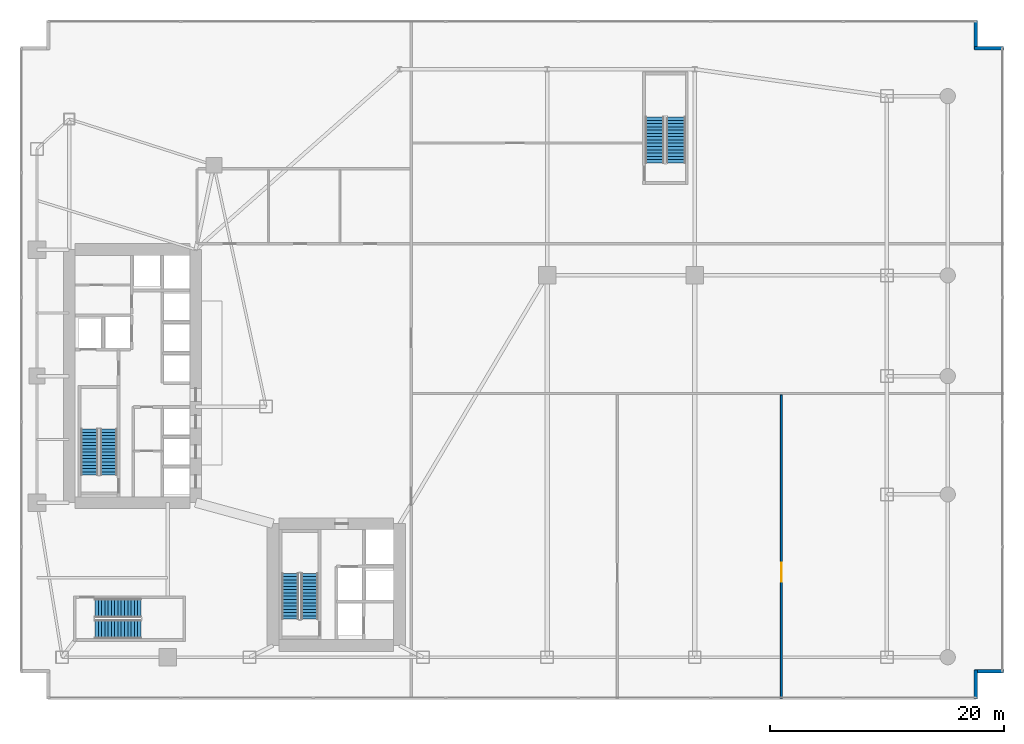
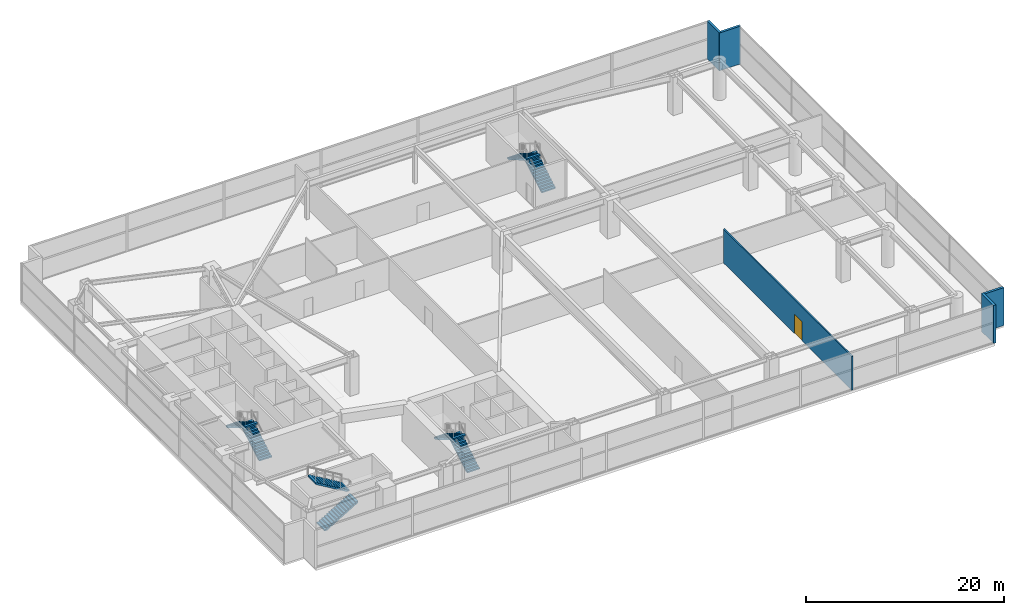
# One storey, part 33 of 35: 8 stair flights, 5 walls, 1 door, 1 opening, 4 elements without a shape of their own.
"""IFC4 building model written with IfcOpenShell, lengths in metres."""

from ifc_helpers import new_model, si_unit, direction, frame, frame_2d, origin, place, context, subcontext, project, spatial, polyline, rectangle, outline, extrude, material, layer, layer_set, type_object, element, fill, aggregate, save


model = new_model("IFC4")

# Units and contexts
model_context = context("Model", 3, precision=1e-05, world=origin(), true_north=direction((0.0, 1.0)))
body_context = subcontext(model_context, "Body", "Model", "MODEL_VIEW")
ifc_project = project(units=[si_unit("LENGTHUNIT", "METRE"), si_unit("AREAUNIT", "SQUARE_METRE"), si_unit("VOLUMEUNIT", "CUBIC_METRE"), si_unit("PLANEANGLEUNIT", "RADIAN"), si_unit("MASSUNIT", "GRAM", prefix="KILO")], contexts=[model_context])

# Site, building, storey
site_placement = place(None, origin())
site = spatial("IfcSite", under=ifc_project, at=site_placement, CompositionType="ELEMENT")
building_placement = place(site_placement, origin())
building = spatial("IfcBuilding", under=site, at=building_placement, Name="Calvorn Quay Hotel", CompositionType="ELEMENT")
storey_placement = place(building_placement, frame((0.0, 0.0, 12.0)))
storey = spatial("IfcBuildingStorey", under=building, at=storey_placement, Name="L02", CompositionType="ELEMENT", Elevation=12.0)

# Walls
ifc_material_1 = material(Name="Concrete C40", Category="concrete")
ifc_layer_1 = layer(ifc_material_1, 0.320068359375)
ifc_layer_set_1 = layer_set([ifc_layer_1], Name="WL-EXT-SPANDREL-320")
wall_type_1 = type_object("IfcWallType", Name="WL-EXT-SPANDREL-320", PredefinedType="SOLIDWALL", material=ifc_layer_set_1)
for number, where, z_axis, x_axis, name in (
    (1, (81.60009765625, 0.0400390625, 0.0), (0.0, 0.0, 1.0), (0.0, 1.0, 0.0), "Podium Notched Corner Wall L02-SE1"),
    (2, (81.5, 2.39990234375, 0.0), (0.0, 0.0, 1.0), (1.0, 0.0, 0.0), "Podium Notched Corner Wall L02-SE2"),
    (3, (83.9599609375, 55.60009765625, 0.0), (0.0, 0.0, 1.0), (-1.0, 0.0, 0.0), "Podium Notched Corner Wall L02-NE1"),
    (4, (81.60009765625, 55.5, 0.0), (0.0, 0.0, 1.0), (0.0, 1.0, 0.0), "Podium Notched Corner Wall L02-NE2"),
):
    element("IfcWall", number, at=place(storey_placement, frame(where, z_axis=z_axis, x_axis=x_axis)), inside=storey, type_object=wall_type_1, Name=name, PredefinedType="SOLIDWALL", context=body_context, shape_type="SweptSolid", body=[
        extrude(rectangle(XDim=2.4599609375, YDim=0.280029296875, at=frame_2d((1.22998046875, 0.0))), origin(), (0.0, 0.0, 1.0), 4.679931640625),
    ])

# Wall, opening, door
ifc_material_2 = material(Name="Double-Stud Acoustic Gypsum Partition")
ifc_layer_2 = layer(ifc_material_2, 0.159912109375)
ifc_layer_set_2 = layer_set([ifc_layer_2], Name="WL-INTERSUITE-160")
wall_type_2 = type_object("IfcWallType", Name="WL-INTERSUITE-160", PredefinedType="PARTITIONING", material=ifc_layer_set_2)
wall_placement = place(storey_placement, frame((65.0, 0.06005859375, 0.0), z_axis=(0.0, 0.0, 1.0), x_axis=(0.0, 1.0, 0.0)))
wall = element("IfcWall", 5, at=wall_placement, inside=storey, type_object=wall_type_2, Name="Partition Wall L02-WL-L02-CF-M2", PredefinedType="PARTITIONING", context=body_context, shape_type="SweptSolid", body=[
    extrude(rectangle(XDim=25.93994140625, YDim=0.159912109375, at=frame_2d((12.969970703125, 0.0))), origin(), (0.0, 0.0, 1.0), 4.179931640625),
])
opening_placement = place(wall_placement, frame((10.0, 0.0, 0.0)))
opening = element("IfcOpeningElement", 6, at=opening_placement, cuts=wall, Name="Opening D-L02-05", PredefinedType="OPENING", context=body_context, shape_type="SweptSolid", body=[
    extrude(rectangle(XDim=1.60009765625, YDim=2.35009765625, at=frame_2d((0.800048828125, 1.175048828125))), frame((0.0, 0.08984375, 0.0), z_axis=(0.0, -1.0, 0.0), x_axis=(1.0, 0.0, 0.0)), (0.0, 0.0, 1.0), 0.179931640625),
])
ifc_material_3 = material(Name="Heavy-Duty Steel Acoustic Plant Fire Door", Category="steel")
door_type = type_object("IfcDoorType", Name="DR-PLANT-DBL-1600", OperationType="NOTDEFINED", PredefinedType="DOOR", material=ifc_material_3)
door_placement = place(opening_placement, origin())
door = element("IfcDoor", 7, at=door_placement, inside=storey, type_object=door_type, Name="Conference Store Door", OperationType="SINGLE_SWING_LEFT", OverallHeight=2.35009765625, OverallWidth=1.60009765625, PredefinedType="DOOR", context=body_context, shape_type="SweptSolid", body=[
    extrude(rectangle(XDim=1.60009765625, YDim=2.35009765625, at=frame_2d((0.800048828125, 1.175048828125))), frame((0.0, 0.02490234375, 0.0), z_axis=(0.0, -1.0, 0.0), x_axis=(1.0, 0.0, 0.0)), (0.0, 0.0, 1.0), 0.050048828125),
])
fill(opening, door)

# Stair, stair flights
ifc_material_4 = material(Name="Concrete C40", Category="concrete")
stair_type_1 = type_object("IfcStairType", Name="STR-CORE-DOGLEG", PredefinedType="HALF_TURN_STAIR", material=ifc_material_4)
stair_1_placement = place(storey_placement, origin())
stair_1 = element("IfcStair", 8, at=stair_1_placement, inside=storey, type_object=stair_type_1, Name="L02 ST-W", PredefinedType="HALF_TURN_STAIR")
ifc_material_5 = material(Name="Concrete C40", Category="concrete")
stair_flight_type_1 = type_object("IfcStairFlightType", Name="FLT-CORE-1550", PredefinedType="STRAIGHT", material=ifc_material_5)
stair_flight_1_placement = place(storey_placement, frame((7.574951171875, 19.14990234375, 0.0), z_axis=(0.0, 0.0, 1.0), x_axis=(0.0, 1.0, 0.0)))
stair_flight_1 = element("IfcStairFlight", 9, at=stair_flight_1_placement, type_object=stair_flight_type_1, Name="ST-W flight 1", NumberOfRisers=15, NumberOfTreads=14, PredefinedType="STRAIGHT", RiserHeight=0.166666667, TreadLength=0.28, context=body_context, shape_type="SweptSolid", body=[
    extrude(outline(polyline([(0.0, 0.0), (0.0, 0.166748046875), (0.280029296875, 0.166748046875), (0.280029296875, 0.333251953125), (0.56005859375, 0.333251953125), (0.56005859375, 0.5), (0.840087890625, 0.5), (0.840087890625, 0.666748046875), (1.1201171875, 0.666748046875), (1.1201171875, 0.833251953125), (1.39990234375, 0.833251953125), (1.39990234375, 1.0), (1.679931640625, 1.0), (1.679931640625, 1.166748046875), (1.9599609375, 1.166748046875), (1.9599609375, 1.333251953125), (2.239990234375, 1.333251953125), (2.239990234375, 1.5), (2.52001953125, 1.5), (2.52001953125, 1.666748046875), (2.800048828125, 1.666748046875), (2.800048828125, 1.833251953125), (3.080078125, 1.833251953125), (3.080078125, 2.0), (3.360107421875, 2.0), (3.360107421875, 2.166748046875), (3.639892578125, 2.166748046875), (3.639892578125, 2.333251953125), (3.919921875, 2.333251953125), (3.919921875, 2.5), (3.919921875, 2.158935546875), (0.29296875, 0.0), (0.0, 0.0)])), frame((0.0, 0.72509765625, 0.0), z_axis=(0.0, -1.0, 0.0), x_axis=(1.0, 0.0, 0.0)), (0.0, 0.0, 1.0), 1.449951171875),
])
stair_flight_2_placement = place(storey_placement, frame((5.925048828125, 23.070068359375, 2.5), z_axis=(0.0, 0.0, 1.0), x_axis=(0.0, -1.0, 0.0)))
stair_flight_2 = element("IfcStairFlight", 10, at=stair_flight_2_placement, type_object=stair_flight_type_1, Name="ST-W flight 2", NumberOfRisers=15, NumberOfTreads=14, PredefinedType="STRAIGHT", RiserHeight=0.166666667, TreadLength=0.28, context=body_context, shape_type="SweptSolid", body=[
    extrude(outline(polyline([(0.0, 0.0), (0.0, 0.166748046875), (0.280029296875, 0.166748046875), (0.280029296875, 0.333251953125), (0.56005859375, 0.333251953125), (0.56005859375, 0.5), (0.840087890625, 0.5), (0.840087890625, 0.666748046875), (1.1201171875, 0.666748046875), (1.1201171875, 0.833251953125), (1.39990234375, 0.833251953125), (1.39990234375, 1.0), (1.679931640625, 1.0), (1.679931640625, 1.166748046875), (1.9599609375, 1.166748046875), (1.9599609375, 1.333251953125), (2.239990234375, 1.333251953125), (2.239990234375, 1.5), (2.52001953125, 1.5), (2.52001953125, 1.666748046875), (2.800048828125, 1.666748046875), (2.800048828125, 1.833251953125), (3.080078125, 1.833251953125), (3.080078125, 2.0), (3.360107421875, 2.0), (3.360107421875, 2.166748046875), (3.639892578125, 2.166748046875), (3.639892578125, 2.333251953125), (3.919921875, 2.333251953125), (3.919921875, 2.5), (3.919921875, 2.158935546875), (0.29296875, 0.0), (0.0, 0.0)])), frame((0.0, 0.72509765625, 0.0), z_axis=(0.0, -1.0, 0.0), x_axis=(1.0, 0.0, 0.0)), (0.0, 0.0, 1.0), 1.449951171875),
])
aggregate(stair_1, [stair_flight_1, stair_flight_2])

stair_2_placement = place(storey_placement, origin())
stair_2 = element("IfcStair", 11, at=stair_2_placement, inside=storey, type_object=stair_type_1, Name="L02 ST-E", PredefinedType="HALF_TURN_STAIR")
stair_flight_3_placement = place(storey_placement, frame((24.72509765625, 6.85009765625, 0.0), z_axis=(0.0, 0.0, 1.0), x_axis=(0.0, 1.0, 0.0)))
stair_flight_3 = element("IfcStairFlight", 12, at=stair_flight_3_placement, type_object=stair_flight_type_1, Name="ST-E flight 1", NumberOfRisers=15, NumberOfTreads=14, PredefinedType="STRAIGHT", RiserHeight=0.166666667, TreadLength=0.28, context=body_context, shape_type="SweptSolid", body=[
    extrude(outline(polyline([(0.0, 0.0), (0.0, 0.166748046875), (0.280029296875, 0.166748046875), (0.280029296875, 0.333251953125), (0.56005859375, 0.333251953125), (0.56005859375, 0.5), (0.840087890625, 0.5), (0.840087890625, 0.666748046875), (1.1201171875, 0.666748046875), (1.1201171875, 0.833251953125), (1.39990234375, 0.833251953125), (1.39990234375, 1.0), (1.679931640625, 1.0), (1.679931640625, 1.166748046875), (1.9599609375, 1.166748046875), (1.9599609375, 1.333251953125), (2.239990234375, 1.333251953125), (2.239990234375, 1.5), (2.52001953125, 1.5), (2.52001953125, 1.666748046875), (2.800048828125, 1.666748046875), (2.800048828125, 1.833251953125), (3.080078125, 1.833251953125), (3.080078125, 2.0), (3.360107421875, 2.0), (3.360107421875, 2.166748046875), (3.639892578125, 2.166748046875), (3.639892578125, 2.333251953125), (3.919921875, 2.333251953125), (3.919921875, 2.5), (3.919921875, 2.158935546875), (0.29296875, 0.0), (0.0, 0.0)])), frame((0.0, 0.72509765625, 0.0), z_axis=(0.0, -1.0, 0.0), x_axis=(1.0, 0.0, 0.0)), (0.0, 0.0, 1.0), 1.449951171875),
])
stair_flight_4_placement = place(storey_placement, frame((23.074951171875, 10.77001953125, 2.5), z_axis=(0.0, 0.0, 1.0), x_axis=(0.0, -1.0, 0.0)))
stair_flight_4 = element("IfcStairFlight", 13, at=stair_flight_4_placement, type_object=stair_flight_type_1, Name="ST-E flight 2", NumberOfRisers=15, NumberOfTreads=14, PredefinedType="STRAIGHT", RiserHeight=0.166666667, TreadLength=0.28, context=body_context, shape_type="SweptSolid", body=[
    extrude(outline(polyline([(0.0, 0.0), (0.0, 0.166748046875), (0.280029296875, 0.166748046875), (0.280029296875, 0.333251953125), (0.56005859375, 0.333251953125), (0.56005859375, 0.5), (0.840087890625, 0.5), (0.840087890625, 0.666748046875), (1.1201171875, 0.666748046875), (1.1201171875, 0.833251953125), (1.39990234375, 0.833251953125), (1.39990234375, 1.0), (1.679931640625, 1.0), (1.679931640625, 1.166748046875), (1.9599609375, 1.166748046875), (1.9599609375, 1.333251953125), (2.239990234375, 1.333251953125), (2.239990234375, 1.5), (2.52001953125, 1.5), (2.52001953125, 1.666748046875), (2.800048828125, 1.666748046875), (2.800048828125, 1.833251953125), (3.080078125, 1.833251953125), (3.080078125, 2.0), (3.360107421875, 2.0), (3.360107421875, 2.166748046875), (3.639892578125, 2.166748046875), (3.639892578125, 2.333251953125), (3.919921875, 2.333251953125), (3.919921875, 2.5), (3.919921875, 2.158935546875), (0.29296875, 0.0), (0.0, 0.0)])), frame((0.0, 0.72509765625, 0.0), z_axis=(0.0, -1.0, 0.0), x_axis=(1.0, 0.0, 0.0)), (0.0, 0.0, 1.0), 1.449951171875),
])
aggregate(stair_2, [stair_flight_3, stair_flight_4])

ifc_material_6 = material(Name="Concrete C40", Category="concrete")
stair_type_2 = type_object("IfcStairType", Name="STR-POD-DOGLEG", PredefinedType="TWO_QUARTER_TURN_STAIR", material=ifc_material_6)
stair_3_placement = place(storey_placement, origin())
stair_3 = element("IfcStair", 14, at=stair_3_placement, inside=storey, type_object=stair_type_2, Name="L02 ST-P1", PredefinedType="TWO_QUARTER_TURN_STAIR")
ifc_material_7 = material(Name="Concrete C40", Category="concrete")
stair_flight_type_2 = type_object("IfcStairFlightType", Name="FLT-POD-1750", PredefinedType="STRAIGHT", material=ifc_material_7)
stair_flight_5_placement = place(storey_placement, frame((56.0, 45.800048828125, 0.0), z_axis=(0.0, 0.0, 1.0), x_axis=(0.0, 1.0, 0.0)))
stair_flight_5 = element("IfcStairFlight", 15, at=stair_flight_5_placement, type_object=stair_flight_type_2, Name="ST-P1 flight 1", NumberOfRisers=15, NumberOfTreads=14, PredefinedType="STRAIGHT", RiserHeight=0.166666667, TreadLength=0.28, context=body_context, shape_type="SweptSolid", body=[
    extrude(outline(polyline([(0.0, 0.0), (0.0, 0.166748046875), (0.280029296875, 0.166748046875), (0.280029296875, 0.333251953125), (0.56005859375, 0.333251953125), (0.56005859375, 0.5), (0.840087890625, 0.5), (0.840087890625, 0.666748046875), (1.1201171875, 0.666748046875), (1.1201171875, 0.833251953125), (1.39990234375, 0.833251953125), (1.39990234375, 1.0), (1.679931640625, 1.0), (1.679931640625, 1.166748046875), (1.9599609375, 1.166748046875), (1.9599609375, 1.333251953125), (2.239990234375, 1.333251953125), (2.239990234375, 1.5), (2.52001953125, 1.5), (2.52001953125, 1.666748046875), (2.800048828125, 1.666748046875), (2.800048828125, 1.833251953125), (3.080078125, 1.833251953125), (3.080078125, 2.0), (3.360107421875, 2.0), (3.360107421875, 2.166748046875), (3.639892578125, 2.166748046875), (3.639892578125, 2.333251953125), (3.919921875, 2.333251953125), (3.919921875, 2.5), (3.919921875, 2.158935546875), (0.29296875, 0.0), (0.0, 0.0)])), frame((0.0, 0.800048828125, 0.0), z_axis=(0.0, -1.0, 0.0), x_axis=(1.0, 0.0, 0.0)), (0.0, 0.0, 1.0), 1.60009765625),
])
stair_flight_6_placement = place(storey_placement, frame((54.199951171875, 49.719970703125, 2.5), z_axis=(0.0, 0.0, 1.0), x_axis=(0.0, -1.0, 0.0)))
stair_flight_6 = element("IfcStairFlight", 16, at=stair_flight_6_placement, type_object=stair_flight_type_2, Name="ST-P1 flight 2", NumberOfRisers=15, NumberOfTreads=14, PredefinedType="STRAIGHT", RiserHeight=0.166666667, TreadLength=0.28, context=body_context, shape_type="SweptSolid", body=[
    extrude(outline(polyline([(0.0, 0.0), (0.0, 0.166748046875), (0.280029296875, 0.166748046875), (0.280029296875, 0.333251953125), (0.56005859375, 0.333251953125), (0.56005859375, 0.5), (0.840087890625, 0.5), (0.840087890625, 0.666748046875), (1.1201171875, 0.666748046875), (1.1201171875, 0.833251953125), (1.39990234375, 0.833251953125), (1.39990234375, 1.0), (1.679931640625, 1.0), (1.679931640625, 1.166748046875), (1.9599609375, 1.166748046875), (1.9599609375, 1.333251953125), (2.239990234375, 1.333251953125), (2.239990234375, 1.5), (2.52001953125, 1.5), (2.52001953125, 1.666748046875), (2.800048828125, 1.666748046875), (2.800048828125, 1.833251953125), (3.080078125, 1.833251953125), (3.080078125, 2.0), (3.360107421875, 2.0), (3.360107421875, 2.166748046875), (3.639892578125, 2.166748046875), (3.639892578125, 2.333251953125), (3.919921875, 2.333251953125), (3.919921875, 2.5), (3.919921875, 2.158935546875), (0.29296875, 0.0), (0.0, 0.0)])), frame((0.0, 0.800048828125, 0.0), z_axis=(0.0, -1.0, 0.0), x_axis=(1.0, 0.0, 0.0)), (0.0, 0.0, 1.0), 1.60009765625),
])
aggregate(stair_3, [stair_flight_5, stair_flight_6])

stair_4_placement = place(storey_placement, origin())
stair_4 = element("IfcStair", 17, at=stair_4_placement, inside=storey, type_object=stair_type_2, Name="L02 ST-P2", PredefinedType="TWO_QUARTER_TURN_STAIR")
stair_flight_7_placement = place(storey_placement, frame((6.39990234375, 6.0, 0.0), z_axis=(0.0, 0.0, 1.0), x_axis=(1.0, 0.0, 0.0)))
stair_flight_7 = element("IfcStairFlight", 18, at=stair_flight_7_placement, type_object=stair_flight_type_2, Name="ST-P2 flight 1", NumberOfRisers=15, NumberOfTreads=14, PredefinedType="STRAIGHT", RiserHeight=0.166666667, TreadLength=0.28, context=body_context, shape_type="SweptSolid", body=[
    extrude(outline(polyline([(0.0, 0.0), (0.0, 0.166748046875), (0.280029296875, 0.166748046875), (0.280029296875, 0.333251953125), (0.56005859375, 0.333251953125), (0.56005859375, 0.5), (0.840087890625, 0.5), (0.840087890625, 0.666748046875), (1.1201171875, 0.666748046875), (1.1201171875, 0.833251953125), (1.39990234375, 0.833251953125), (1.39990234375, 1.0), (1.679931640625, 1.0), (1.679931640625, 1.166748046875), (1.9599609375, 1.166748046875), (1.9599609375, 1.333251953125), (2.239990234375, 1.333251953125), (2.239990234375, 1.5), (2.52001953125, 1.5), (2.52001953125, 1.666748046875), (2.800048828125, 1.666748046875), (2.800048828125, 1.833251953125), (3.080078125, 1.833251953125), (3.080078125, 2.0), (3.360107421875, 2.0), (3.360107421875, 2.166748046875), (3.639892578125, 2.166748046875), (3.639892578125, 2.333251953125), (3.919921875, 2.333251953125), (3.919921875, 2.5), (3.919921875, 2.158935546875), (0.29296875, 0.0), (0.0, 0.0)])), frame((0.0, 0.800048828125, 0.0), z_axis=(0.0, -1.0, 0.0), x_axis=(1.0, 0.0, 0.0)), (0.0, 0.0, 1.0), 1.60009765625),
])
stair_flight_8_placement = place(storey_placement, frame((10.320068359375, 7.800048828125, 2.5), z_axis=(0.0, 0.0, 1.0), x_axis=(-1.0, 0.0, 0.0)))
stair_flight_8 = element("IfcStairFlight", 19, at=stair_flight_8_placement, type_object=stair_flight_type_2, Name="ST-P2 flight 2", NumberOfRisers=15, NumberOfTreads=14, PredefinedType="STRAIGHT", RiserHeight=0.166666667, TreadLength=0.28, context=body_context, shape_type="SweptSolid", body=[
    extrude(outline(polyline([(0.0, 0.0), (0.0, 0.166748046875), (0.280029296875, 0.166748046875), (0.280029296875, 0.333251953125), (0.56005859375, 0.333251953125), (0.56005859375, 0.5), (0.840087890625, 0.5), (0.840087890625, 0.666748046875), (1.1201171875, 0.666748046875), (1.1201171875, 0.833251953125), (1.39990234375, 0.833251953125), (1.39990234375, 1.0), (1.679931640625, 1.0), (1.679931640625, 1.166748046875), (1.9599609375, 1.166748046875), (1.9599609375, 1.333251953125), (2.239990234375, 1.333251953125), (2.239990234375, 1.5), (2.52001953125, 1.5), (2.52001953125, 1.666748046875), (2.800048828125, 1.666748046875), (2.800048828125, 1.833251953125), (3.080078125, 1.833251953125), (3.080078125, 2.0), (3.360107421875, 2.0), (3.360107421875, 2.166748046875), (3.639892578125, 2.166748046875), (3.639892578125, 2.333251953125), (3.919921875, 2.333251953125), (3.919921875, 2.5), (3.919921875, 2.158935546875), (0.29296875, 0.0), (0.0, 0.0)])), frame((0.0, 0.800048828125, 0.0), z_axis=(0.0, -1.0, 0.0), x_axis=(1.0, 0.0, 0.0)), (0.0, 0.0, 1.0), 1.60009765625),
])
aggregate(stair_4, [stair_flight_7, stair_flight_8])

save(model, "model.ifc")
